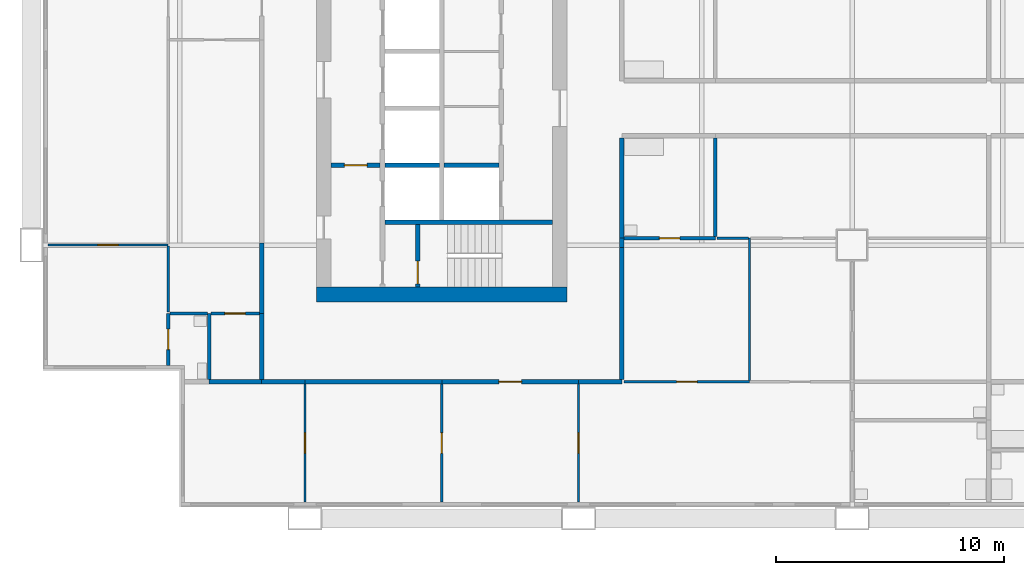
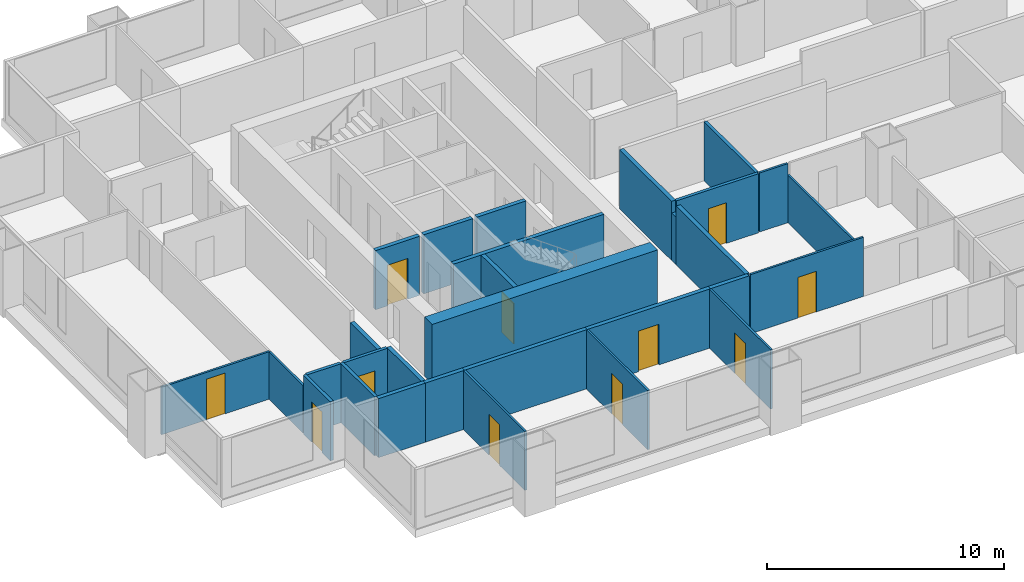
# One storey, part 2 of 11: 30 walls, 11 doors, 11 openings.
"""IFC4 building model written with IfcOpenShell, lengths in metres."""

import ifcopenshell
import ifcopenshell.guid

model = None  # the IFC model being written
_history = None  # IfcOwnerHistory: only IFC2X3 demands one
_inside = {}  # id of a spatial element -> (the spatial element, [elements in it])
_under = {}  # id of a project, library or spatial element -> (it, [spatial elements below it])
_declared = {}  # id of a project -> (the project, [libraries it declares])
_typed = {}  # id of a type object -> (the type object, [elements of that type])
_made_of = {}  # id of a material, layer set ... -> (it, [elements and type objects made of it])


def new_model(schema):
    """Start an empty IFC model of exactly this schema.

    Asked for "IFC4X3", IfcOpenShell would pick the latest addendum, in which some entities
    have other attributes; the version numbers below select the first issue.
    IFC2X3 requires an IfcOwnerHistory on every rooted entity: one is made here for all.
    """
    global model, _history
    if schema == "IFC4X3":
        model = ifcopenshell.file(schema_version=(4, 3, 0, 0))
    else:
        model = ifcopenshell.file(schema=schema)
    _inside.clear()
    _under.clear()
    _declared.clear()
    _typed.clear()
    _made_of.clear()
    _history = None
    if model.schema == "IFC2X3":
        org = make("IfcOrganization", Name="unknown")
        user = make(
            "IfcPersonAndOrganization",
            ThePerson=make("IfcPerson", FamilyName="unknown"),
            TheOrganization=org,
        )
        app = make(
            "IfcApplication",
            ApplicationDeveloper=org,
            Version="unknown",
            ApplicationFullName="unknown",
            ApplicationIdentifier="unknown",
        )
        _history = make(
            "IfcOwnerHistory",
            OwningUser=user,
            OwningApplication=app,
            ChangeAction="ADDED",
            CreationDate=0,
        )
    return model


def make(cls, **values):
    """One entity of the class cls with the attributes given. An attribute that is None is left unset."""
    return model.create_entity(
        cls, **{name: value for name, value in values.items() if value is not None}
    )


def rooted(cls, **values):
    """An entity with a GlobalId (a new one), such as an element, a storey or a relation."""
    return make(cls, GlobalId=ifcopenshell.guid.new(), OwnerHistory=_history, **values)


def si_unit(unit_type, name, prefix=None):
    """IfcSIUnit, for example si_unit("LENGTHUNIT", "METRE", prefix="MILLI")."""
    return make("IfcSIUnit", UnitType=unit_type, Prefix=prefix, Name=name)


def assignment(units):
    """IfcUnitAssignment: the units of a project."""
    return None if units is None else make("IfcUnitAssignment", Units=units)


def point(xyz):
    """IfcCartesianPoint."""
    return None if xyz is None else make("IfcCartesianPoint", Coordinates=xyz)


def direction(xyz):
    """IfcDirection."""
    return None if xyz is None else make("IfcDirection", DirectionRatios=xyz)


def frame(location, z_axis=None, x_axis=None):
    """IfcAxis2Placement3D, a coordinate frame: its origin and axes. An axis left out is left unset."""
    return make(
        "IfcAxis2Placement3D",
        Location=point(location),
        Axis=direction(z_axis),
        RefDirection=direction(x_axis),
    )


def frame_2d(location, x_axis=None):
    """IfcAxis2Placement2D, a coordinate frame in the plane: its origin and x axis."""
    return make(
        "IfcAxis2Placement2D", Location=point(location), RefDirection=direction(x_axis)
    )


def origin():
    """The frame at (0, 0, 0) with its axes left unset."""
    return frame((0.0, 0.0, 0.0))


def place(relative_to, where):
    """IfcLocalPlacement: puts the frame where relative to a parent placement (None: the world)."""
    return make(
        "IfcLocalPlacement", PlacementRelTo=relative_to, RelativePlacement=where
    )


def context(
    kind, dimensions, precision=None, world=None, true_north=None, identifier=None
):
    """IfcGeometricRepresentationContext, for example the 3D "Model" context."""
    return make(
        "IfcGeometricRepresentationContext",
        ContextIdentifier=identifier,
        ContextType=kind,
        CoordinateSpaceDimension=dimensions,
        Precision=precision,
        WorldCoordinateSystem=world,
        TrueNorth=true_north,
    )


def subcontext(parent, identifier, kind, view, scale=None):
    """IfcGeometricRepresentationSubContext, for example "Body" below "Model"."""
    return make(
        "IfcGeometricRepresentationSubContext",
        ContextIdentifier=identifier,
        ContextType=kind,
        ParentContext=parent,
        TargetScale=scale,
        TargetView=view,
    )


def project(units=None, contexts=None):
    """IfcProject with its units and contexts."""
    return rooted(
        "IfcProject",
        Name="project",
        RepresentationContexts=contexts,
        UnitsInContext=assignment(units),
    )


def spatial(cls, under=None, at=None, **own):
    """A site, building, storey or space (cls), placed at a placement, below another one or the project."""
    s = rooted(cls, ObjectPlacement=at, **own)
    if under is not None:
        _under.setdefault(under.id(), (under, []))[1].append(s)
    return s


def profile(cls, at=None, kind="AREA", **sizes):
    """A parametric profile (cls). Its sizes go by their IFC names, for example OverallWidth=200.0."""
    return make(cls, ProfileType=kind, Position=at, **sizes)


def rectangle(**sizes):
    """IfcRectangleProfileDef."""
    return profile("IfcRectangleProfileDef", **sizes)


def extrude(swept, where, along, depth):
    """IfcExtrudedAreaSolid: the profile swept, set in the frame where, extruded along a direction by depth."""
    return make(
        "IfcExtrudedAreaSolid",
        SweptArea=swept,
        Position=where,
        ExtrudedDirection=direction(along),
        Depth=depth,
    )


def shape(context_of_items, identifier, shape_type, items):
    """IfcShapeRepresentation: the items that make up one representation, for example the "Body"."""
    return make(
        "IfcShapeRepresentation",
        ContextOfItems=context_of_items,
        RepresentationIdentifier=identifier,
        RepresentationType=shape_type,
        Items=items,
    )


def material(Name=None, Category=None):
    """IfcMaterial."""
    return make("IfcMaterial", Name=Name, Category=Category)


def layer(
    of_material, thickness, ventilated=None, Name=None, Category=None, Priority=None
):
    """IfcMaterialLayer: one layer of a wall or slab, of a material (None: an air gap)."""
    return make(
        "IfcMaterialLayer",
        Material=of_material,
        LayerThickness=thickness,
        IsVentilated=ventilated,
        Name=Name,
        Category=Category,
        Priority=Priority,
    )


def layer_set(layers, Name=None):
    """IfcMaterialLayerSet."""
    return make("IfcMaterialLayerSet", MaterialLayers=layers, LayerSetName=Name)


def made_of(thing, what):
    """Note that an element or type object is made of a material, layer set ...; save() writes the relation."""
    if what is not None:
        _made_of.setdefault(what.id(), (what, []))[1].append(thing)
    return thing


def type_object(cls, material=None, **own):
    """A type object (cls), such as IfcWallType, which elements share."""
    return made_of(rooted(cls, **own), material)


def element(
    cls,
    number,
    at=None,
    inside=None,
    cuts=None,
    type_object=None,
    material=None,
    context=None,
    identifier="Body",
    shape_type=None,
    held_by="IfcProductDefinitionShape",
    body=None,
    shapes=None,
    **own,
):
    """One element of the class cls, such as IfcWall. Its Tag is "e" and its number.

    at: its placement. inside: the storey or other place that contains it. cuts: it is an
    opening in that element (IfcRelVoidsElement). A single representation is given by context,
    identifier, shape_type and body (its items); several are given by shapes. held_by: the class
    of the entity that holds the representations. save() writes the other relations.
    """
    e = rooted(cls, Tag="e%d" % number, ObjectPlacement=at, **own)
    if body is not None:
        shapes = [shape(context, identifier, shape_type, body)]
    if shapes is not None:
        e.Representation = make(held_by, Representations=shapes)
    if inside is not None:
        _inside.setdefault(inside.id(), (inside, []))[1].append(e)
    if cuts is not None:
        rooted(
            "IfcRelVoidsElement", RelatingBuildingElement=cuts, RelatedOpeningElement=e
        )
    if type_object is not None:
        _typed.setdefault(type_object.id(), (type_object, []))[1].append(e)
    return made_of(e, material)


def fill(opening, filler):
    """IfcRelFillsElement: the door or window that sits in an opening."""
    return rooted(
        "IfcRelFillsElement",
        RelatingOpeningElement=opening,
        RelatedBuildingElement=filler,
    )


def aggregate(whole, parts):
    """IfcRelAggregates: a whole, such as a stair, and the parts it consists of."""
    return rooted("IfcRelAggregates", RelatingObject=whole, RelatedObjects=parts)


def save(model, path):
    """Write the relations noted so far, then the file.

    IfcRelAggregates (storeys below a building ...), IfcRelContainedInSpatialStructure (elements
    in a storey), IfcRelDefinesByType, IfcRelAssociatesMaterial and IfcRelDeclares: one each for
    every whole, place, type object, material and project.
    """
    for whole, parts in _under.values():
        aggregate(whole, parts)
    for where, things in _inside.values():
        rooted(
            "IfcRelContainedInSpatialStructure",
            RelatedElements=things,
            RelatingStructure=where,
        )
    for kind, things in _typed.values():
        rooted("IfcRelDefinesByType", RelatedObjects=things, RelatingType=kind)
    for what, things in _made_of.values():
        rooted("IfcRelAssociatesMaterial", RelatedObjects=things, RelatingMaterial=what)
    for by, libraries in _declared.values():
        rooted("IfcRelDeclares", RelatingContext=by, RelatedDefinitions=libraries)
    model.write(path)


model = new_model("IFC4")

# Units and contexts
model_context = context("Model", 3, precision=1e-05, world=origin(), true_north=direction((0.0, 1.0)))
body_context = subcontext(model_context, "Body", "Model", "MODEL_VIEW")
ifc_project = project(units=[si_unit("LENGTHUNIT", "METRE"), si_unit("AREAUNIT", "SQUARE_METRE"), si_unit("VOLUMEUNIT", "CUBIC_METRE"), si_unit("PLANEANGLEUNIT", "RADIAN"), si_unit("MASSUNIT", "GRAM", prefix="KILO")], contexts=[model_context])

# Site, building, storey
site_placement = place(None, origin())
site = spatial("IfcSite", under=ifc_project, at=site_placement, CompositionType="ELEMENT")
building_placement = place(site_placement, origin())
building = spatial("IfcBuilding", under=site, at=building_placement, Name="Kitamizu Gate Tower and Museum", CompositionType="ELEMENT")
storey_placement = place(building_placement, frame((0.0, 0.0, 120.75)))
storey = spatial("IfcBuildingStorey", under=building, at=storey_placement, Name="L31", CompositionType="ELEMENT", Elevation=120.75)

# Wall
ifc_material_1 = material(Name="Concrete Fc60", Category="concrete")
ifc_layer_1 = layer(ifc_material_1, 0.64990234375)
ifc_layer_set_1 = layer_set([ifc_layer_1], Name="Concrete Fc60")
wall_type_1 = type_object("IfcWallType", Name="Core wall 650", PredefinedType="SHEAR", material=ifc_layer_set_1)
wall_1_placement = place(storey_placement, frame((12.5, 21.824951171875, 0.0), z_axis=(0.0, 0.0, 1.0), x_axis=(1.0, 0.0, 0.0)))
element("IfcWall", 1, at=wall_1_placement, inside=storey, type_object=wall_type_1, Name="Core wall WS", PredefinedType="SHEAR", context=body_context, shape_type="SweptSolid", body=[
    extrude(rectangle(XDim=11.0, YDim=0.64990234375, at=frame_2d((5.5, 0.0))), origin(), (0.0, 0.0, 1.0), 3.050048828125),
])

# Wall, opening, door
ifc_material_2 = material(Name="Gypsum board on galvanised stud")
ifc_layer_2 = layer(ifc_material_2, 0.10009765625)
ifc_layer_set_2 = layer_set([ifc_layer_2], Name="Gypsum board on galvanised stud")
wall_type_2 = type_object("IfcWallType", Name="Partition 100 NOT RATED", PredefinedType="PARTITIONING", material=ifc_layer_set_2)
wall_2_placement = place(storey_placement, frame((12.0, 12.719970703125, 0.0), z_axis=(0.0, 0.0, 1.0), x_axis=(0.0, 1.0, 0.0)))
wall_2 = element("IfcWall", 2, at=wall_2_placement, inside=storey, type_object=wall_type_2, Name="Partition L31-001", PredefinedType="PARTITIONING", context=body_context, shape_type="SweptSolid", body=[
    extrude(rectangle(XDim=5.179931640625, YDim=0.10009765625, at=frame_2d((2.58984375, 0.0))), origin(), (0.0, 0.0, 1.0), 3.050048828125),
])
opening_1_placement = place(wall_2_placement, frame((2.139892578125, 0.0, 0.0)))
opening_1 = element("IfcOpeningElement", 3, at=opening_1_placement, cuts=wall_2, Name="Opening L31-011", PredefinedType="OPENING", context=body_context, shape_type="SweptSolid", body=[
    extrude(rectangle(XDim=0.89990234375, YDim=2.10009765625, at=frame_2d((0.449951171875, 1.050048828125))), frame((0.0, 0.06005859375, 0.0), z_axis=(0.0, -1.0, 0.0), x_axis=(1.0, 0.0, 0.0)), (0.0, 0.0, 1.0), 0.1201171875),
])
ifc_material_3 = material(Name="Timber door set", Category="wood")
door_type_1 = type_object("IfcDoorType", Name="Room door 900", OperationType="NOTDEFINED", PredefinedType="DOOR", material=ifc_material_3)
door_1_placement = place(opening_1_placement, origin())
door_1 = element("IfcDoor", 4, at=door_1_placement, inside=storey, type_object=door_type_1, Name="Door L31-011", OperationType="SINGLE_SWING_RIGHT", OverallHeight=2.10009765625, OverallWidth=0.89990234375, PredefinedType="DOOR", context=body_context, shape_type="SweptSolid", body=[
    extrude(rectangle(XDim=0.89990234375, YDim=2.10009765625, at=frame_2d((0.449951171875, 1.050048828125))), frame((0.0, 0.02490234375, 0.0), z_axis=(0.0, -1.0, 0.0), x_axis=(1.0, 0.0, 0.0)), (0.0, 0.0, 1.0), 0.050048828125),
])
fill(opening_1, door_1)

wall_3_placement = place(storey_placement, frame((18.0, 12.719970703125, 0.0), z_axis=(0.0, 0.0, 1.0), x_axis=(0.0, 1.0, 0.0)))
wall_3 = element("IfcWall", 5, at=wall_3_placement, inside=storey, type_object=wall_type_2, Name="Partition L31-005", PredefinedType="PARTITIONING", context=body_context, shape_type="SweptSolid", body=[
    extrude(rectangle(XDim=5.179931640625, YDim=0.10009765625, at=frame_2d((2.58984375, 0.0))), origin(), (0.0, 0.0, 1.0), 3.050048828125),
])
opening_2_placement = place(wall_3_placement, frame((2.139892578125, 0.0, 0.0)))
opening_2 = element("IfcOpeningElement", 6, at=opening_2_placement, cuts=wall_3, Name="Opening L31-006", PredefinedType="OPENING", context=body_context, shape_type="SweptSolid", body=[
    extrude(rectangle(XDim=0.89990234375, YDim=2.10009765625, at=frame_2d((0.449951171875, 1.050048828125))), frame((0.0, 0.06005859375, 0.0), z_axis=(0.0, -1.0, 0.0), x_axis=(1.0, 0.0, 0.0)), (0.0, 0.0, 1.0), 0.1201171875),
])
door_2_placement = place(opening_2_placement, origin())
door_2 = element("IfcDoor", 7, at=door_2_placement, inside=storey, type_object=door_type_1, Name="Door L31-006", OperationType="SINGLE_SWING_LEFT", OverallHeight=2.10009765625, OverallWidth=0.89990234375, PredefinedType="DOOR", context=body_context, shape_type="SweptSolid", body=[
    extrude(rectangle(XDim=0.89990234375, YDim=2.10009765625, at=frame_2d((0.449951171875, 1.050048828125))), frame((0.0, 0.02490234375, 0.0), z_axis=(0.0, -1.0, 0.0), x_axis=(1.0, 0.0, 0.0)), (0.0, 0.0, 1.0), 0.050048828125),
])
fill(opening_2, door_2)

wall_4_placement = place(storey_placement, frame((24.0, 12.719970703125, 0.0), z_axis=(0.0, 0.0, 1.0), x_axis=(0.0, 1.0, 0.0)))
wall_4 = element("IfcWall", 8, at=wall_4_placement, inside=storey, type_object=wall_type_2, Name="Partition L31-007", PredefinedType="PARTITIONING", context=body_context, shape_type="SweptSolid", body=[
    extrude(rectangle(XDim=5.179931640625, YDim=0.10009765625, at=frame_2d((2.58984375, 0.0))), origin(), (0.0, 0.0, 1.0), 3.050048828125),
])
opening_3_placement = place(wall_4_placement, frame((2.139892578125, 0.0, 0.0)))
opening_3 = element("IfcOpeningElement", 9, at=opening_3_placement, cuts=wall_4, Name="Opening L31-002", PredefinedType="OPENING", context=body_context, shape_type="SweptSolid", body=[
    extrude(rectangle(XDim=0.89990234375, YDim=2.10009765625, at=frame_2d((0.449951171875, 1.050048828125))), frame((0.0, 0.06005859375, 0.0), z_axis=(0.0, -1.0, 0.0), x_axis=(1.0, 0.0, 0.0)), (0.0, 0.0, 1.0), 0.1201171875),
])
door_3_placement = place(opening_3_placement, frame((0.89990234375, 0.0, 0.0), x_axis=(-1.0, 0.0, 0.0)))
door_3 = element("IfcDoor", 10, at=door_3_placement, inside=storey, type_object=door_type_1, Name="Door L31-002", OperationType="SINGLE_SWING_RIGHT", OverallHeight=2.10009765625, OverallWidth=0.89990234375, PredefinedType="DOOR", context=body_context, shape_type="SweptSolid", body=[
    extrude(rectangle(XDim=0.89990234375, YDim=2.10009765625, at=frame_2d((0.449951171875, 1.050048828125))), frame((0.0, 0.02490234375, 0.0), z_axis=(0.0, -1.0, 0.0), x_axis=(1.0, 0.0, 0.0)), (0.0, 0.0, 1.0), 0.050048828125),
])
fill(opening_3, door_3)

wall_5_placement = place(storey_placement, frame((31.5, 18.0, 0.0), z_axis=(0.0, 0.0, 1.0), x_axis=(-1.0, 0.0, 0.0)))
wall_5 = element("IfcWall", 11, at=wall_5_placement, inside=storey, type_object=wall_type_2, Name="Partition L31-011", PredefinedType="PARTITIONING", context=body_context, shape_type="SweptSolid", body=[
    extrude(rectangle(XDim=5.5, YDim=0.10009765625, at=frame_2d((2.75, 0.0))), origin(), (0.0, 0.0, 1.0), 3.050048828125),
])
opening_4_placement = place(wall_5_placement, frame((2.300048828125, 0.0, 0.0)))
opening_4 = element("IfcOpeningElement", 12, at=opening_4_placement, cuts=wall_5, Name="Opening L31-003", PredefinedType="OPENING", context=body_context, shape_type="SweptSolid", body=[
    extrude(rectangle(XDim=0.89990234375, YDim=2.10009765625, at=frame_2d((0.449951171875, 1.050048828125))), frame((0.0, 0.06005859375, 0.0), z_axis=(0.0, -1.0, 0.0), x_axis=(1.0, 0.0, 0.0)), (0.0, 0.0, 1.0), 0.1201171875),
])
door_4_placement = place(opening_4_placement, frame((0.89990234375, 0.0, 0.0), x_axis=(-1.0, 0.0, 0.0)))
door_4 = element("IfcDoor", 13, at=door_4_placement, inside=storey, type_object=door_type_1, Name="Door L31-003", OperationType="SINGLE_SWING_LEFT", OverallHeight=2.10009765625, OverallWidth=0.89990234375, PredefinedType="DOOR", context=body_context, shape_type="SweptSolid", body=[
    extrude(rectangle(XDim=0.89990234375, YDim=2.10009765625, at=frame_2d((0.449951171875, 1.050048828125))), frame((0.0, 0.02490234375, 0.0), z_axis=(0.0, -1.0, 0.0), x_axis=(1.0, 0.0, 0.0)), (0.0, 0.0, 1.0), 0.050048828125),
])
fill(opening_4, door_4)

# Walls
wall_6_placement = place(storey_placement, frame((31.5, 18.050048828125, 0.0), z_axis=(0.0, 0.0, 1.0), x_axis=(0.0, 1.0, 0.0)))
element("IfcWall", 14, at=wall_6_placement, inside=storey, type_object=wall_type_2, Name="Partition L31-019", PredefinedType="PARTITIONING", context=body_context, shape_type="SweptSolid", body=[
    extrude(rectangle(XDim=6.25, YDim=0.10009765625, at=frame_2d((3.125, 0.0))), origin(), (0.0, 0.0, 1.0), 2.449951171875),
])
wall_7_placement = place(storey_placement, frame((31.449951171875, 24.300048828125, 0.0), z_axis=(0.0, 0.0, 1.0), x_axis=(-1.0, 0.0, 0.0)))
element("IfcWall", 15, at=wall_7_placement, inside=storey, type_object=wall_type_2, Name="Partition L31-021", PredefinedType="PARTITIONING", context=body_context, shape_type="SweptSolid", body=[
    extrude(rectangle(XDim=1.375, YDim=0.10009765625, at=frame_2d((0.6875, 0.0))), origin(), (0.0, 0.0, 1.0), 3.050048828125),
])

# Wall, opening, door
wall_8_placement = place(storey_placement, frame((6.0, 24.0, 0.0), z_axis=(0.0, 0.0, 1.0), x_axis=(-1.0, 0.0, 0.0)))
wall_8 = element("IfcWall", 16, at=wall_8_placement, inside=storey, type_object=wall_type_2, Name="Partition L31-034", PredefinedType="PARTITIONING", context=body_context, shape_type="SweptSolid", body=[
    extrude(rectangle(XDim=5.280029296875, YDim=0.10009765625, at=frame_2d((2.64013671875, 0.0))), origin(), (0.0, 0.0, 1.0), 2.449951171875),
])
opening_5_placement = place(wall_8_placement, frame((2.18994140625, 0.0, 0.0)))
opening_5 = element("IfcOpeningElement", 17, at=opening_5_placement, cuts=wall_8, Name="Opening L31-015", PredefinedType="OPENING", context=body_context, shape_type="SweptSolid", body=[
    extrude(rectangle(XDim=0.89990234375, YDim=2.10009765625, at=frame_2d((0.449951171875, 1.050048828125))), frame((0.0, 0.06005859375, 0.0), z_axis=(0.0, -1.0, 0.0), x_axis=(1.0, 0.0, 0.0)), (0.0, 0.0, 1.0), 0.1201171875),
])
door_5_placement = place(opening_5_placement, origin())
door_5 = element("IfcDoor", 18, at=door_5_placement, inside=storey, type_object=door_type_1, Name="Door L31-015", OperationType="SINGLE_SWING_RIGHT", OverallHeight=2.10009765625, OverallWidth=0.89990234375, PredefinedType="DOOR", context=body_context, shape_type="SweptSolid", body=[
    extrude(rectangle(XDim=0.89990234375, YDim=2.10009765625, at=frame_2d((0.449951171875, 1.050048828125))), frame((0.0, 0.02490234375, 0.0), z_axis=(0.0, -1.0, 0.0), x_axis=(1.0, 0.0, 0.0)), (0.0, 0.0, 1.0), 0.050048828125),
])
fill(opening_5, door_5)

# Wall
wall_9_placement = place(storey_placement, frame((6.0, 21.074951171875, 0.0), z_axis=(0.0, 0.0, 1.0), x_axis=(0.0, 1.0, 0.0)))
element("IfcWall", 19, at=wall_9_placement, inside=storey, type_object=wall_type_2, Name="Partition L31-036", PredefinedType="PARTITIONING", context=body_context, shape_type="SweptSolid", body=[
    extrude(rectangle(XDim=2.875, YDim=0.10009765625, at=frame_2d((1.4375, 0.0))), origin(), (0.0, 0.0, 1.0), 2.449951171875),
])

# Wall, opening, door
ifc_material_4 = material(Name="Gypsum board on galvanised stud")
ifc_layer_3 = layer(ifc_material_4, 0.14990234375)
ifc_layer_set_3 = layer_set([ifc_layer_3], Name="Gypsum board on galvanised stud")
wall_type_3 = type_object("IfcWallType", Name="Partition 150", PredefinedType="PARTITIONING", material=ifc_layer_set_3)
wall_10_placement = place(storey_placement, frame((30.0, 24.300048828125, 0.0), z_axis=(0.0, 0.0, 1.0), x_axis=(-1.0, 0.0, 0.0)))
wall_10 = element("IfcWall", 20, at=wall_10_placement, inside=storey, type_object=wall_type_3, Name="Partition L31-020", PredefinedType="PARTITIONING", context=body_context, shape_type="SweptSolid", body=[
    extrude(rectangle(XDim=4.0, YDim=0.14990234375, at=frame_2d((2.0, 0.0))), origin(), (0.0, 0.0, 1.0), 3.050048828125),
])
opening_6_placement = place(wall_10_placement, frame((1.550048828125, 0.0, 0.0)))
opening_6 = element("IfcOpeningElement", 21, at=opening_6_placement, cuts=wall_10, Name="Opening L31-009", PredefinedType="OPENING", context=body_context, shape_type="SweptSolid", body=[
    extrude(rectangle(XDim=0.89990234375, YDim=2.10009765625, at=frame_2d((0.449951171875, 1.050048828125))), frame((0.0, 0.0849609375, 0.0), z_axis=(0.0, -1.0, 0.0), x_axis=(1.0, 0.0, 0.0)), (0.0, 0.0, 1.0), 0.169921875),
])
ifc_material_5 = material(Name="Timber door set", Category="wood")
door_type_2 = type_object("IfcDoorType", Name="Bathroom door 900", OperationType="NOTDEFINED", PredefinedType="DOOR", material=ifc_material_5)
door_6_placement = place(opening_6_placement, frame((0.89990234375, 0.0, 0.0), x_axis=(-1.0, 0.0, 0.0)))
door_6 = element("IfcDoor", 22, at=door_6_placement, inside=storey, type_object=door_type_2, Name="Bathroom door L31-009", OperationType="SINGLE_SWING_LEFT", OverallHeight=2.10009765625, OverallWidth=0.89990234375, PredefinedType="DOOR", context=body_context, shape_type="SweptSolid", body=[
    extrude(rectangle(XDim=0.89990234375, YDim=2.10009765625, at=frame_2d((0.449951171875, 1.050048828125))), frame((0.0, 0.02490234375, 0.0), z_axis=(0.0, -1.0, 0.0), x_axis=(1.0, 0.0, 0.0)), (0.0, 0.0, 1.0), 0.050048828125),
])
fill(opening_6, door_6)

# Wall
wall_11_placement = place(storey_placement, frame((30.0, 24.375, 0.0), z_axis=(0.0, 0.0, 1.0), x_axis=(0.0, 1.0, 0.0)))
element("IfcWall", 23, at=wall_11_placement, inside=storey, type_object=wall_type_3, Name="Partition L31-028", PredefinedType="PARTITIONING", context=body_context, shape_type="SweptSolid", body=[
    extrude(rectangle(XDim=4.324951171875, YDim=0.14990234375, at=frame_2d((2.16259765625, 0.0))), origin(), (0.0, 0.0, 1.0), 3.050048828125),
])

# Wall, opening, door
wall_12_placement = place(storey_placement, frame((6.0, 18.719970703125, 0.0), z_axis=(0.0, 0.0, 1.0), x_axis=(0.0, 1.0, 0.0)))
wall_12 = element("IfcWall", 24, at=wall_12_placement, inside=storey, type_object=wall_type_3, Name="Partition L31-035", PredefinedType="PARTITIONING", context=body_context, shape_type="SweptSolid", body=[
    extrude(rectangle(XDim=2.280029296875, YDim=0.14990234375, at=frame_2d((1.14013671875, 0.0))), origin(), (0.0, 0.0, 1.0), 3.050048828125),
])
opening_7_placement = place(wall_12_placement, frame((0.68994140625, 0.0, 0.0)))
opening_7 = element("IfcOpeningElement", 25, at=opening_7_placement, cuts=wall_12, Name="Opening L31-017", PredefinedType="OPENING", context=body_context, shape_type="SweptSolid", body=[
    extrude(rectangle(XDim=0.89990234375, YDim=2.10009765625, at=frame_2d((0.449951171875, 1.050048828125))), frame((0.0, 0.0849609375, 0.0), z_axis=(0.0, -1.0, 0.0), x_axis=(1.0, 0.0, 0.0)), (0.0, 0.0, 1.0), 0.169921875),
])
door_7_placement = place(opening_7_placement, frame((0.89990234375, 0.0, 0.0), x_axis=(-1.0, 0.0, 0.0)))
door_7 = element("IfcDoor", 26, at=door_7_placement, inside=storey, type_object=door_type_2, Name="Bathroom door L31-017", OperationType="SINGLE_SWING_LEFT", OverallHeight=2.10009765625, OverallWidth=0.89990234375, PredefinedType="DOOR", context=body_context, shape_type="SweptSolid", body=[
    extrude(rectangle(XDim=0.89990234375, YDim=2.10009765625, at=frame_2d((0.449951171875, 1.050048828125))), frame((0.0, 0.02490234375, 0.0), z_axis=(0.0, -1.0, 0.0), x_axis=(1.0, 0.0, 0.0)), (0.0, 0.0, 1.0), 0.050048828125),
])
fill(opening_7, door_7)

# Walls
wall_13_placement = place(storey_placement, frame((7.800048828125, 18.10009765625, 0.0), z_axis=(0.0, 0.0, 1.0), x_axis=(0.0, 1.0, 0.0)))
element("IfcWall", 27, at=wall_13_placement, inside=storey, type_object=wall_type_3, Name="Partition L31-042", PredefinedType="PARTITIONING", context=body_context, shape_type="SweptSolid", body=[
    extrude(rectangle(XDim=2.89990234375, YDim=0.14990234375, at=frame_2d((1.449951171875, 0.0))), origin(), (0.0, 0.0, 1.0), 3.050048828125),
])
wall_14_placement = place(storey_placement, frame((7.72509765625, 21.0, 0.0), z_axis=(0.0, 0.0, 1.0), x_axis=(-1.0, 0.0, 0.0)))
element("IfcWall", 28, at=wall_14_placement, inside=storey, type_object=wall_type_3, Name="Partition L31-043", PredefinedType="PARTITIONING", context=body_context, shape_type="SweptSolid", body=[
    extrude(rectangle(XDim=1.650146484375, YDim=0.14990234375, at=frame_2d((0.8251953125, 0.0))), origin(), (0.0, 0.0, 1.0), 3.050048828125),
])

# Wall, opening, door
wall_15_placement = place(storey_placement, frame((10.0, 21.0, 0.0), z_axis=(0.0, 0.0, 1.0), x_axis=(-1.0, 0.0, 0.0)))
wall_15 = element("IfcWall", 29, at=wall_15_placement, inside=storey, type_object=wall_type_3, Name="Partition L31-044", PredefinedType="PARTITIONING", context=body_context, shape_type="SweptSolid", body=[
    extrude(rectangle(XDim=2.125, YDim=0.14990234375, at=frame_2d((1.0625, 0.0))), origin(), (0.0, 0.0, 1.0), 3.050048828125),
])
opening_8_placement = place(wall_15_placement, frame((0.612548828125, 0.0, 0.0)))
opening_8 = element("IfcOpeningElement", 30, at=opening_8_placement, cuts=wall_15, Name="Opening L31-018", PredefinedType="OPENING", context=body_context, shape_type="SweptSolid", body=[
    extrude(rectangle(XDim=0.89990234375, YDim=2.10009765625, at=frame_2d((0.449951171875, 1.050048828125))), frame((0.0, 0.0849609375, 0.0), z_axis=(0.0, -1.0, 0.0), x_axis=(1.0, 0.0, 0.0)), (0.0, 0.0, 1.0), 0.169921875),
])
door_8_placement = place(opening_8_placement, origin())
door_8 = element("IfcDoor", 31, at=door_8_placement, inside=storey, type_object=door_type_2, Name="Bathroom door L31-018", OperationType="SINGLE_SWING_LEFT", OverallHeight=2.10009765625, OverallWidth=0.89990234375, PredefinedType="DOOR", context=body_context, shape_type="SweptSolid", body=[
    extrude(rectangle(XDim=0.89990234375, YDim=2.10009765625, at=frame_2d((0.449951171875, 1.050048828125))), frame((0.0, 0.02490234375, 0.0), z_axis=(0.0, -1.0, 0.0), x_axis=(1.0, 0.0, 0.0)), (0.0, 0.0, 1.0), 0.050048828125),
])
fill(opening_8, door_8)

# Walls
ifc_material_6 = material(Name="Gypsum board on galvanised stud")
ifc_layer_4 = layer(ifc_material_6, 0.199951171875)
ifc_layer_set_4 = layer_set([ifc_layer_4], Name="Gypsum board on galvanised stud")
wall_type_4 = type_object("IfcWallType", Name="Partition 200", PredefinedType="PARTITIONING", material=ifc_layer_set_4)
wall_16_placement = place(storey_placement, frame((10.10009765625, 18.0, 0.0), z_axis=(0.0, 0.0, 1.0), x_axis=(-1.0, 0.0, 0.0)))
element("IfcWall", 32, at=wall_16_placement, inside=storey, type_object=wall_type_4, Name="Partition L31-003", PredefinedType="PARTITIONING", context=body_context, shape_type="SweptSolid", body=[
    extrude(rectangle(XDim=2.300048828125, YDim=0.199951171875, at=frame_2d((1.14990234375, 0.0))), origin(), (0.0, 0.0, 1.0), 3.050048828125),
])
wall_17_placement = place(storey_placement, frame((12.0, 18.0, 0.0), z_axis=(0.0, 0.0, 1.0), x_axis=(-1.0, 0.0, 0.0)))
element("IfcWall", 33, at=wall_17_placement, inside=storey, type_object=wall_type_4, Name="Partition L31-004", PredefinedType="PARTITIONING", context=body_context, shape_type="SweptSolid", body=[
    extrude(rectangle(XDim=1.89990234375, YDim=0.199951171875, at=frame_2d((0.949951171875, 0.0))), origin(), (0.0, 0.0, 1.0), 3.050048828125),
])
wall_18_placement = place(storey_placement, frame((18.0, 18.0, 0.0), z_axis=(0.0, 0.0, 1.0), x_axis=(-1.0, 0.0, 0.0)))
element("IfcWall", 34, at=wall_18_placement, inside=storey, type_object=wall_type_4, Name="Partition L31-006", PredefinedType="PARTITIONING", context=body_context, shape_type="SweptSolid", body=[
    extrude(rectangle(XDim=6.0, YDim=0.199951171875, at=frame_2d((3.0, 0.0))), origin(), (0.0, 0.0, 1.0), 3.050048828125),
])

# Wall, opening, door
wall_19_placement = place(storey_placement, frame((24.0, 18.0, 0.0), z_axis=(0.0, 0.0, 1.0), x_axis=(-1.0, 0.0, 0.0)))
wall_19 = element("IfcWall", 35, at=wall_19_placement, inside=storey, type_object=wall_type_4, Name="Partition L31-008", PredefinedType="PARTITIONING", context=body_context, shape_type="SweptSolid", body=[
    extrude(rectangle(XDim=6.0, YDim=0.199951171875, at=frame_2d((3.0, 0.0))), origin(), (0.0, 0.0, 1.0), 3.050048828125),
])
opening_9_placement = place(wall_19_placement, frame((2.5, 0.0, 0.0)))
opening_9 = element("IfcOpeningElement", 36, at=opening_9_placement, cuts=wall_19, Name="Opening L31-001", PredefinedType="OPENING", context=body_context, shape_type="SweptSolid", body=[
    extrude(rectangle(XDim=1.0, YDim=2.10009765625, at=frame_2d((0.5, 1.050048828125))), frame((0.0, 0.10986328125, 0.0), z_axis=(0.0, -1.0, 0.0), x_axis=(1.0, 0.0, 0.0)), (0.0, 0.0, 1.0), 0.219970703125),
])
ifc_material_7 = material(Name="Timber door set", Category="wood")
door_type_3 = type_object("IfcDoorType", Name="Flat entrance door 1000", OperationType="NOTDEFINED", PredefinedType="DOOR", material=ifc_material_7)
door_9_placement = place(opening_9_placement, origin())
door_9 = element("IfcDoor", 37, at=door_9_placement, inside=storey, type_object=door_type_3, Name="Flat entrance door L31-001", OperationType="SINGLE_SWING_RIGHT", OverallHeight=2.10009765625, OverallWidth=1.0, PredefinedType="DOOR", context=body_context, shape_type="SweptSolid", body=[
    extrude(rectangle(XDim=1.0, YDim=2.10009765625, at=frame_2d((0.5, 1.050048828125))), frame((0.0, 0.02490234375, 0.0), z_axis=(0.0, -1.0, 0.0), x_axis=(1.0, 0.0, 0.0)), (0.0, 0.0, 1.0), 0.050048828125),
])
fill(opening_9, door_9)

# Walls
wall_20_placement = place(storey_placement, frame((25.89990234375, 18.0, 0.0), z_axis=(0.0, 0.0, 1.0), x_axis=(-1.0, 0.0, 0.0)))
element("IfcWall", 38, at=wall_20_placement, inside=storey, type_object=wall_type_4, Name="Partition L31-013", PredefinedType="PARTITIONING", context=body_context, shape_type="SweptSolid", body=[
    extrude(rectangle(XDim=1.89990234375, YDim=0.199951171875, at=frame_2d((0.949951171875, 0.0))), origin(), (0.0, 0.0, 1.0), 3.050048828125),
])
wall_21_placement = place(storey_placement, frame((25.89990234375, 24.300048828125, 0.0), z_axis=(0.0, 0.0, 1.0), x_axis=(0.0, -1.0, 0.0)))
element("IfcWall", 39, at=wall_21_placement, inside=storey, type_object=wall_type_4, Name="Partition L31-022", PredefinedType="PARTITIONING", context=body_context, shape_type="SweptSolid", body=[
    extrude(rectangle(XDim=0.400146484375, YDim=0.199951171875, at=frame_2d((0.2001953125, 0.0))), origin(), (0.0, 0.0, 1.0), 2.449951171875),
])
wall_22_placement = place(storey_placement, frame((25.89990234375, 23.89990234375, 0.0), z_axis=(0.0, 0.0, 1.0), x_axis=(0.0, -1.0, 0.0)))
element("IfcWall", 40, at=wall_22_placement, inside=storey, type_object=wall_type_4, Name="Partition L31-023", PredefinedType="PARTITIONING", context=body_context, shape_type="SweptSolid", body=[
    extrude(rectangle(XDim=5.7998046875, YDim=0.199951171875, at=frame_2d((2.89990234375, 0.0))), origin(), (0.0, 0.0, 1.0), 3.050048828125),
])
wall_23_placement = place(storey_placement, frame((25.89990234375, 28.699951171875, 0.0), z_axis=(0.0, 0.0, 1.0), x_axis=(0.0, -1.0, 0.0)))
element("IfcWall", 41, at=wall_23_placement, inside=storey, type_object=wall_type_4, Name="Partition L31-030", PredefinedType="PARTITIONING", context=body_context, shape_type="SweptSolid", body=[
    extrude(rectangle(XDim=4.39990234375, YDim=0.199951171875, at=frame_2d((2.199951171875, 0.0))), origin(), (0.0, 0.0, 1.0), 3.050048828125),
])
wall_24_placement = place(storey_placement, frame((10.10009765625, 18.10009765625, 0.0), z_axis=(0.0, 0.0, 1.0), x_axis=(0.0, 1.0, 0.0)))
element("IfcWall", 42, at=wall_24_placement, inside=storey, type_object=wall_type_4, Name="Partition L31-045", PredefinedType="PARTITIONING", context=body_context, shape_type="SweptSolid", body=[
    extrude(rectangle(XDim=2.89990234375, YDim=0.199951171875, at=frame_2d((1.449951171875, 0.0))), origin(), (0.0, 0.0, 1.0), 3.050048828125),
])
wall_25_placement = place(storey_placement, frame((10.10009765625, 21.0, 0.0), z_axis=(0.0, 0.0, 1.0), x_axis=(0.0, 1.0, 0.0)))
element("IfcWall", 43, at=wall_25_placement, inside=storey, type_object=wall_type_4, Name="Partition L31-047", PredefinedType="PARTITIONING", context=body_context, shape_type="SweptSolid", body=[
    extrude(rectangle(XDim=3.10009765625, YDim=0.199951171875, at=frame_2d((1.550048828125, 0.0))), origin(), (0.0, 0.0, 1.0), 2.449951171875),
])
ifc_material_8 = material(Name="Concrete Fc42", Category="concrete")
ifc_layer_5 = layer(ifc_material_8, 0.199951171875)
ifc_layer_set_5 = layer_set([ifc_layer_5], Name="Concrete Fc42")
wall_type_5 = type_object("IfcWallType", Name="Shaft wall 200", PredefinedType="SOLIDWALL", material=ifc_layer_set_5)
wall_26_placement = place(storey_placement, frame((15.5, 25.0, 0.0), z_axis=(0.0, 0.0, 1.0), x_axis=(1.0, 0.0, 0.0)))
element("IfcWall", 44, at=wall_26_placement, inside=storey, type_object=wall_type_5, Name="Shaft wall WSB", PredefinedType="SOLIDWALL", context=body_context, shape_type="SweptSolid", body=[
    extrude(rectangle(XDim=7.35009765625, YDim=0.199951171875, at=frame_2d((3.675048828125, 0.0))), origin(), (0.0, 0.0, 1.0), 3.050048828125),
])

# Wall, opening, door
wall_27_placement = place(storey_placement, frame((13.14990234375, 27.5, 0.0), z_axis=(0.0, 0.0, 1.0), x_axis=(1.0, 0.0, 0.0)))
wall_27 = element("IfcWall", 45, at=wall_27_placement, inside=storey, type_object=wall_type_5, Name="Shaft wall WFFN", PredefinedType="SOLIDWALL", context=body_context, shape_type="SweptSolid", body=[
    extrude(rectangle(XDim=2.150146484375, YDim=0.199951171875, at=frame_2d((1.0751953125, 0.0))), origin(), (0.0, 0.0, 1.0), 3.050048828125),
])
opening_10_placement = place(wall_27_placement, frame((0.574951171875, 0.0, 0.0)))
opening_10 = element("IfcOpeningElement", 46, at=opening_10_placement, cuts=wall_27, Name="Opening L31-052", PredefinedType="OPENING", context=body_context, shape_type="SweptSolid", body=[
    extrude(rectangle(XDim=1.0, YDim=2.10009765625, at=frame_2d((0.5, 1.050048828125))), frame((0.0, 0.10986328125, 0.0), z_axis=(0.0, -1.0, 0.0), x_axis=(1.0, 0.0, 0.0)), (0.0, 0.0, 1.0), 0.219970703125),
])
ifc_material_9 = material(Name="Hollow metal door set")
door_type_4 = type_object("IfcDoorType", Name="Fire door 1000", OperationType="NOTDEFINED", PredefinedType="DOOR", material=ifc_material_9)
door_10_placement = place(opening_10_placement, frame((1.0, 0.0, 0.0), x_axis=(-1.0, 0.0, 0.0)))
door_10 = element("IfcDoor", 47, at=door_10_placement, inside=storey, type_object=door_type_4, Name="Fire-fighting lobby door L31-052", OperationType="SINGLE_SWING_RIGHT", OverallHeight=2.10009765625, OverallWidth=1.0, PredefinedType="DOOR", context=body_context, shape_type="SweptSolid", body=[
    extrude(rectangle(XDim=1.0, YDim=2.10009765625, at=frame_2d((0.5, 1.050048828125))), frame((0.0, 0.02490234375, 0.0), z_axis=(0.0, -1.0, 0.0), x_axis=(1.0, 0.0, 0.0)), (0.0, 0.0, 1.0), 0.050048828125),
])
fill(opening_10, door_10)

wall_28_placement = place(storey_placement, frame((16.949951171875, 22.14990234375, 0.0), z_axis=(0.0, 0.0, 1.0), x_axis=(0.0, 1.0, 0.0)))
wall_28 = element("IfcWall", 48, at=wall_28_placement, inside=storey, type_object=wall_type_5, Name="Shaft wall WSZ", PredefinedType="SOLIDWALL", context=body_context, shape_type="SweptSolid", body=[
    extrude(rectangle(XDim=2.75, YDim=0.199951171875, at=frame_2d((1.375, 0.0))), origin(), (0.0, 0.0, 1.0), 3.050048828125),
])
opening_11_placement = place(wall_28_placement, frame((0.14990234375, 0.0, 0.0)))
opening_11 = element("IfcOpeningElement", 49, at=opening_11_placement, cuts=wall_28, Name="Opening L31-048", PredefinedType="OPENING", context=body_context, shape_type="SweptSolid", body=[
    extrude(rectangle(XDim=1.0, YDim=2.10009765625, at=frame_2d((0.5, 1.050048828125))), frame((0.0, 0.10986328125, 0.0), z_axis=(0.0, -1.0, 0.0), x_axis=(1.0, 0.0, 0.0)), (0.0, 0.0, 1.0), 0.219970703125),
])
door_11_placement = place(opening_11_placement, frame((1.0, 0.0, 0.0), x_axis=(-1.0, 0.0, 0.0)))
door_11 = element("IfcDoor", 50, at=door_11_placement, inside=storey, type_object=door_type_4, Name="Stair door L31-048", OperationType="SINGLE_SWING_LEFT", OverallHeight=2.10009765625, OverallWidth=1.0, PredefinedType="DOOR", context=body_context, shape_type="SweptSolid", body=[
    extrude(rectangle(XDim=1.0, YDim=2.10009765625, at=frame_2d((0.5, 1.050048828125))), frame((0.0, 0.02490234375, 0.0), z_axis=(0.0, -1.0, 0.0), x_axis=(1.0, 0.0, 0.0)), (0.0, 0.0, 1.0), 0.050048828125),
])
fill(opening_11, door_11)

# Walls
for number, where, z_axis, x_axis, name in (
    (51, (15.5, 27.5, 0.0), (0.0, 0.0, 1.0), (1.0, 0.0, 0.0), "Shaft wall WDVW0"),
    (52, (18.10009765625, 27.5, 0.0), (0.0, 0.0, 1.0), (1.0, 0.0, 0.0), "Shaft wall WDVE0"),
):
    element("IfcWall", number, at=place(storey_placement, frame(where, z_axis=z_axis, x_axis=x_axis)), inside=storey, type_object=wall_type_5, Name=name, PredefinedType="SOLIDWALL", context=body_context, shape_type="SweptSolid", body=[
        extrude(rectangle(XDim=2.39990234375, YDim=0.199951171875, at=frame_2d((1.199951171875, 0.0))), origin(), (0.0, 0.0, 1.0), 3.050048828125),
    ])

save(model, "model.ifc")
